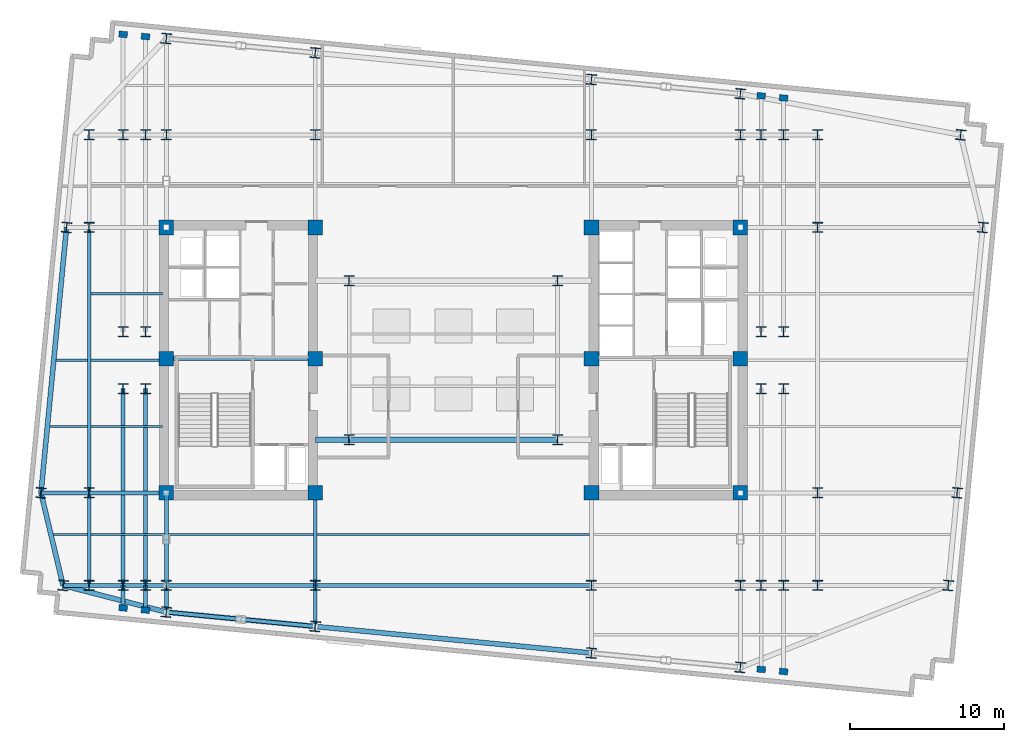
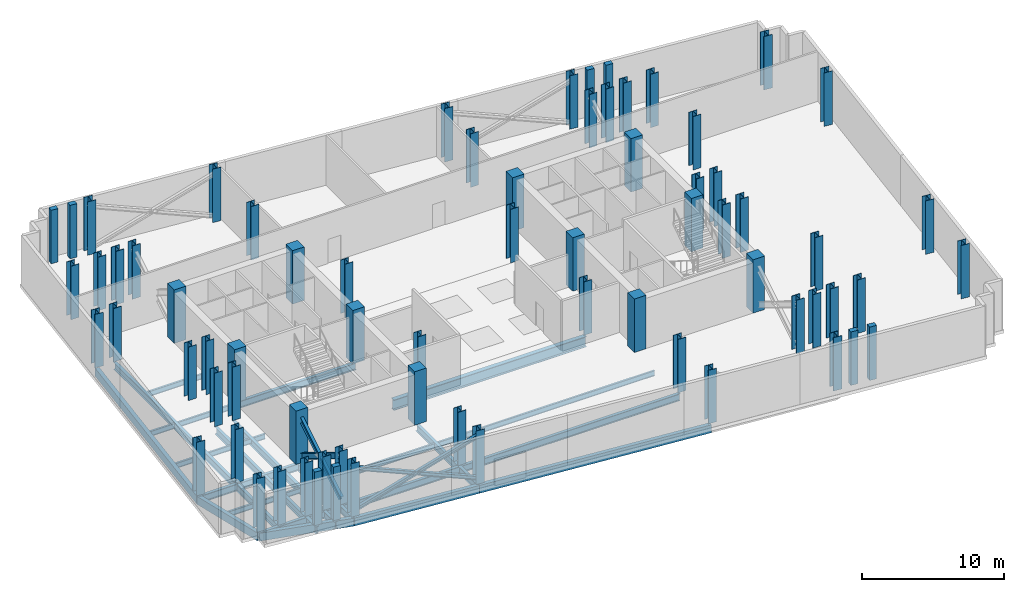
# One storey, part 1 of 8: 71 columns, 33 beams, 6 members.
"""IFC4 building model written with IfcOpenShell, lengths in metres."""

from ifc_helpers import new_model, si_unit, direction, frame, origin, origin_2d, place, context, subcontext, project, spatial, rectangle, i_section, extrude, material, material_profile, profile_set, type_object, element, save


model = new_model("IFC4")

# Units and contexts
model_context = context("Model", 3, precision=1e-05, world=origin(), true_north=direction((0.0, 1.0)))
body_context = subcontext(model_context, "Body", "Model", "MODEL_VIEW")
ifc_project = project(units=[si_unit("LENGTHUNIT", "METRE"), si_unit("AREAUNIT", "SQUARE_METRE"), si_unit("VOLUMEUNIT", "CUBIC_METRE"), si_unit("PLANEANGLEUNIT", "RADIAN"), si_unit("MASSUNIT", "GRAM", prefix="KILO")], contexts=[model_context])

# Site, building, storey
site_placement = place(None, origin())
site = spatial("IfcSite", under=ifc_project, at=site_placement, CompositionType="ELEMENT")
building_placement = place(site_placement, origin())
building = spatial("IfcBuilding", under=site, at=building_placement, Name="Velakula Bourse", CompositionType="ELEMENT")
storey_placement = place(building_placement, frame((0.0, 0.0, 194.89990234375)))
storey = spatial("IfcBuildingStorey", under=building, at=storey_placement, Name="L53", CompositionType="ELEMENT", Elevation=194.89990234375)

# Columns
ifc_material_1 = material(Name="Concrete M70 (fck 70 MPa)", Category="concrete")
ifc_material_profile_1 = material_profile(ifc_material_1, rectangle(XDim=0.949951171875, YDim=0.949951171875, at=origin_2d()), Name="Concrete M70 (fck 70 MPa)")
ifc_profile_set_1 = profile_set([ifc_material_profile_1], Name="Concrete M70 (fck 70 MPa)")
column_type_1 = type_object("IfcColumnType", Name="COL-RC-950", PredefinedType="COLUMN", material=ifc_profile_set_1)
for number, where, z_axis, x_axis, name in (
    (1, (-8.949951171875, -8.60009765625, 0.0), (0.0, 0.0, 1.0), (1.0, 0.0, 0.0), "L53 Core Boundary Column 01"),
    (2, (-8.949951171875, 0.10009765625, 0.0), (0.0, 0.0, 1.0), (1.0, 0.0, 0.0), "L53 Core Boundary Column 02"),
    (3, (-8.949951171875, 8.60009765625, 0.0), (0.0, 0.0, 1.0), (1.0, 0.0, 0.0), "L53 Core Boundary Column 03"),
    (4, (-18.60009765625, -8.60009765625, 0.0), (0.0, 0.0, 1.0), (1.0, 0.0, 0.0), "L53 Core Boundary Column 04"),
    (5, (-18.60009765625, 0.10009765625, 0.0), (0.0, 0.0, 1.0), (1.0, 0.0, 0.0), "L53 Core Boundary Column 05"),
    (6, (-18.60009765625, 8.60009765625, 0.0), (0.0, 0.0, 1.0), (1.0, 0.0, 0.0), "L53 Core Boundary Column 06"),
    (7, (8.949951171875, -8.60009765625, 0.0), (0.0, 0.0, 1.0), (1.0, 0.0, 0.0), "L53 Core Boundary Column 07"),
    (8, (8.949951171875, 0.10009765625, 0.0), (0.0, 0.0, 1.0), (1.0, 0.0, 0.0), "L53 Core Boundary Column 08"),
    (9, (8.949951171875, 8.60009765625, 0.0), (0.0, 0.0, 1.0), (1.0, 0.0, 0.0), "L53 Core Boundary Column 09"),
    (10, (18.60009765625, -8.60009765625, 0.0), (0.0, 0.0, 1.0), (1.0, 0.0, 0.0), "L53 Core Boundary Column 10"),
    (11, (18.60009765625, 0.10009765625, 0.0), (0.0, 0.0, 1.0), (1.0, 0.0, 0.0), "L53 Core Boundary Column 11"),
    (12, (18.60009765625, 8.60009765625, 0.0), (0.0, 0.0, 1.0), (1.0, 0.0, 0.0), "L53 Core Boundary Column 12"),
):
    element("IfcColumn", number, at=place(storey_placement, frame(where, z_axis=z_axis, x_axis=x_axis)), inside=storey, type_object=column_type_1, Name=name, PredefinedType="COLUMN", context=body_context, shape_type="SweptSolid", body=[
        extrude(rectangle(XDim=0.949951171875, YDim=0.949951171875, at=origin_2d()), origin(), (0.0, 0.0, 1.0), 4.60009765625),
    ])
ifc_material_2 = material(Name="Steel IS 2062 Grade 350 (E350)", Category="steel")
ifc_material_profile_2 = material_profile(ifc_material_2, i_section(OverallWidth=0.64990234375, OverallDepth=0.64990234375, WebThickness=0.028076171875, FlangeThickness=0.0400390625, at=origin_2d()), Name="Steel IS 2062 Grade 350 (E350)")
ifc_profile_set_2 = profile_set([ifc_material_profile_2], Name="Steel IS 2062 Grade 350 (E350)")
column_type_2 = type_object("IfcColumnType", Name="COL-STL-650", PredefinedType="COLUMN", material=ifc_profile_set_2)
for number, where, z_axis, x_axis, name in (
    (13, (-6.75, -5.14990234375, 0.0), (0.0, 0.0, 1.0), (1.0, 0.0, 0.0), "L53 Central Spine Column 01"),
    (14, (-6.75, 5.14990234375, 0.0), (0.0, 0.0, 1.0), (1.0, 0.0, 0.0), "L53 Central Spine Column 02"),
    (15, (6.75, -5.14990234375, 0.0), (0.0, 0.0, 1.0), (1.0, 0.0, 0.0), "L53 Central Spine Column 03"),
    (16, (6.75, 5.14990234375, 0.0), (0.0, 0.0, 1.0), (1.0, 0.0, 0.0), "L53 Central Spine Column 04"),
    (17, (-21.39990234375, -14.60009765625, 0.0), (0.0, 0.0, 1.0), (1.0, 0.0, 0.0), "L53 Tower Fulcrum Column 01"),
    (18, (-21.39990234375, 14.60009765625, 0.0), (0.0, 0.0, 1.0), (1.0, 0.0, 0.0), "L53 Tower Fulcrum Column 02"),
    (19, (-19.949951171875, -14.60009765625, 0.0), (0.0, 0.0, 1.0), (1.0, 0.0, 0.0), "L53 Tower Fulcrum Column 03"),
    (20, (-19.949951171875, 14.60009765625, 0.0), (0.0, 0.0, 1.0), (1.0, 0.0, 0.0), "L53 Tower Fulcrum Column 04"),
    (21, (-18.60009765625, -14.60009765625, 0.0), (0.0, 0.0, 1.0), (1.0, 0.0, 0.0), "L53 Tower Fulcrum Column 05"),
    (22, (-18.60009765625, 14.60009765625, 0.0), (0.0, 0.0, 1.0), (1.0, 0.0, 0.0), "L53 Tower Fulcrum Column 06"),
    (23, (-8.949951171875, -14.60009765625, 0.0), (0.0, 0.0, 1.0), (1.0, 0.0, 0.0), "L53 Tower Fulcrum Column 07"),
    (24, (-8.949951171875, 14.60009765625, 0.0), (0.0, 0.0, 1.0), (1.0, 0.0, 0.0), "L53 Tower Fulcrum Column 08"),
    (25, (8.949951171875, -14.60009765625, 0.0), (0.0, 0.0, 1.0), (1.0, 0.0, 0.0), "L53 Tower Fulcrum Column 09"),
    (26, (8.949951171875, 14.60009765625, 0.0), (0.0, 0.0, 1.0), (1.0, 0.0, 0.0), "L53 Tower Fulcrum Column 10"),
    (27, (18.60009765625, -14.60009765625, 0.0), (0.0, 0.0, 1.0), (1.0, 0.0, 0.0), "L53 Tower Fulcrum Column 11"),
    (28, (18.60009765625, 14.60009765625, 0.0), (0.0, 0.0, 1.0), (1.0, 0.0, 0.0), "L53 Tower Fulcrum Column 12"),
    (29, (19.949951171875, -14.60009765625, 0.0), (0.0, 0.0, 1.0), (1.0, 0.0, 0.0), "L53 Tower Fulcrum Column 13"),
    (30, (19.949951171875, 14.60009765625, 0.0), (0.0, 0.0, 1.0), (1.0, 0.0, 0.0), "L53 Tower Fulcrum Column 14"),
    (31, (21.39990234375, -14.60009765625, 0.0), (0.0, 0.0, 1.0), (1.0, 0.0, 0.0), "L53 Tower Fulcrum Column 15"),
    (32, (21.39990234375, 14.60009765625, 0.0), (0.0, 0.0, 1.0), (1.0, 0.0, 0.0), "L53 Tower Fulcrum Column 16"),
    (33, (-21.39990234375, -1.85009765625, 0.0), (0.0, 0.0, 1.0), (1.0, 0.0, 0.0), "L53 Tower Fulcrum Column 17"),
    (34, (-21.39990234375, 1.85009765625, 0.0), (0.0, 0.0, 1.0), (1.0, 0.0, 0.0), "L53 Tower Fulcrum Column 18"),
    (35, (-19.949951171875, -1.85009765625, 0.0), (0.0, 0.0, 1.0), (1.0, 0.0, 0.0), "L53 Tower Fulcrum Column 19"),
    (36, (-19.949951171875, 1.85009765625, 0.0), (0.0, 0.0, 1.0), (1.0, 0.0, 0.0), "L53 Tower Fulcrum Column 20"),
    (37, (19.949951171875, -1.85009765625, 0.0), (0.0, 0.0, 1.0), (1.0, 0.0, 0.0), "L53 Tower Fulcrum Column 21"),
    (38, (19.949951171875, 1.85009765625, 0.0), (0.0, 0.0, 1.0), (1.0, 0.0, 0.0), "L53 Tower Fulcrum Column 22"),
    (39, (21.39990234375, -1.85009765625, 0.0), (0.0, 0.0, 1.0), (1.0, 0.0, 0.0), "L53 Tower Fulcrum Column 23"),
    (40, (21.39990234375, 1.85009765625, 0.0), (0.0, 0.0, 1.0), (1.0, 0.0, 0.0), "L53 Tower Fulcrum Column 24"),
    (41, (-23.60009765625, -14.60009765625, 0.0), (0.0, 0.0, 1.0), (1.0, 0.0, 0.0), "L53 Mid-Wing Plumb Column 01"),
    (42, (-23.60009765625, -8.60009765625, 0.0), (0.0, 0.0, 1.0), (1.0, 0.0, 0.0), "L53 Mid-Wing Plumb Column 02"),
    (43, (-23.60009765625, 8.60009765625, 0.0), (0.0, 0.0, 1.0), (1.0, 0.0, 0.0), "L53 Mid-Wing Plumb Column 03"),
    (44, (-23.60009765625, 14.60009765625, 0.0), (0.0, 0.0, 1.0), (1.0, 0.0, 0.0), "L53 Mid-Wing Plumb Column 04"),
    (45, (23.60009765625, -14.60009765625, 0.0), (0.0, 0.0, 1.0), (1.0, 0.0, 0.0), "L53 Mid-Wing Plumb Column 05"),
    (46, (23.60009765625, -8.60009765625, 0.0), (0.0, 0.0, 1.0), (1.0, 0.0, 0.0), "L53 Mid-Wing Plumb Column 06"),
    (47, (23.60009765625, 8.60009765625, 0.0), (0.0, 0.0, 1.0), (1.0, 0.0, 0.0), "L53 Mid-Wing Plumb Column 07"),
    (48, (23.60009765625, 14.60009765625, 0.0), (0.0, 0.0, 1.0), (1.0, 0.0, 0.0), "L53 Mid-Wing Plumb Column 08"),
    (49, (-18.60009765625, -16.32861328125, 0.0), (0.0, 0.0, 1.0), (0.995396198367, -0.09584575252, 0.0), "L53 Block B4 Perimeter Column S1"),
    (50, (-8.949951171875, -17.2578125, 0.0), (0.0, 0.0, 1.0), (0.995396198367, -0.09584575252, 0.0), "L53 Block B4 Perimeter Column S2"),
    (51, (8.949951171875, -18.9814453125, 0.0), (0.0, 0.0, 1.0), (0.995396198367, -0.09584575252, 0.0), "L53 Block B4 Perimeter Column S3"),
    (52, (18.60009765625, -19.91064453125, 0.0), (0.0, 0.0, 1.0), (0.995396198367, -0.09584575252, 0.0), "L53 Block B4 Perimeter Column S4"),
    (53, (-18.60009765625, 20.84228515625, 0.0), (0.0, 0.0, 1.0), (0.995396198367, -0.09584575252, 0.0), "L53 Block B4 Perimeter Column N1"),
    (54, (-8.949951171875, 19.9130859375, 0.0), (0.0, 0.0, 1.0), (0.995396198367, -0.09584575252, 0.0), "L53 Block B4 Perimeter Column N2"),
    (55, (8.949951171875, 18.189697265625, 0.0), (0.0, 0.0, 1.0), (0.995396198367, -0.09584575252, 0.0), "L53 Block B4 Perimeter Column N3"),
    (56, (18.60009765625, 17.260498046875, 0.0), (0.0, 0.0, 1.0), (0.995396198367, -0.09584575252, 0.0), "L53 Block B4 Perimeter Column N4"),
    (57, (-25.29296875, -14.60009765625, 0.0), (0.0, 0.0, 1.0), (0.995396198367, -0.09584575252, 0.0), "L53 Block B4 Perimeter Column W1"),
    (58, (-26.724365234375, -8.60009765625, 0.0), (0.0, 0.0, 1.0), (0.995396198367, -0.09584575252, 0.0), "L53 Block B4 Perimeter Column W2"),
    (59, (-25.068115234375, 8.60009765625, 0.0), (0.0, 0.0, 1.0), (0.995396198367, -0.09584575252, 0.0), "L53 Block B4 Perimeter Column W3"),
    (60, (32.0712890625, -14.60009765625, 0.0), (0.0, 0.0, 1.0), (0.995396198367, -0.09584575252, 0.0), "L53 Block B4 Perimeter Column E1"),
    (61, (32.64892578125, -8.60009765625, 0.0), (0.0, 0.0, 1.0), (0.995396198367, -0.09584575252, 0.0), "L53 Block B4 Perimeter Column E2"),
    (62, (34.30517578125, 8.60009765625, 0.0), (0.0, 0.0, 1.0), (0.995396198367, -0.09584575252, 0.0), "L53 Block B4 Perimeter Column E3"),
    (63, (32.87353515625, 14.60009765625, 0.0), (0.0, 0.0, 1.0), (0.995396198367, -0.09584575252, 0.0), "L53 Block B4 Perimeter Column E4"),
):
    element("IfcColumn", number, at=place(storey_placement, frame(where, z_axis=z_axis, x_axis=x_axis)), inside=storey, type_object=column_type_2, Name=name, PredefinedType="COLUMN", context=body_context, shape_type="SweptSolid", body=[
        extrude(i_section(OverallWidth=0.64990234375, OverallDepth=0.64990234375, WebThickness=0.028076171875, FlangeThickness=0.0400390625, at=origin_2d()), origin(), (0.0, 0.0, 1.0), 4.60009765625),
    ])
ifc_material_3 = material(Name="Precast concrete M45 (fck 45 MPa)", Category="concrete")
ifc_material_profile_3 = material_profile(ifc_material_3, rectangle(XDim=0.550048828125, YDim=0.39990234375, at=origin_2d()), Name="Precast concrete M45 (fck 45 MPa)")
ifc_profile_set_3 = profile_set([ifc_material_profile_3], Name="Precast concrete M45 (fck 45 MPa)")
column_type_3 = type_object("IfcColumnType", Name="PIL-BRICK-550", PredefinedType="PILASTER", material=ifc_profile_set_3)
for number, where, z_axis, x_axis, name in (
    (64, (-21.39990234375, -16.05908203125, 0.0), (0.0, 0.0, 1.0), (0.995396198367, -0.09584575252, 0.0), "L53 Brick Pier Pilaster 01"),
    (65, (-19.949951171875, -16.19873046875, 0.0), (0.0, 0.0, 1.0), (0.995396198367, -0.09584575252, 0.0), "L53 Brick Pier Pilaster 02"),
    (66, (19.949951171875, -20.04052734375, 0.0), (0.0, 0.0, 1.0), (0.995396198367, -0.09584575252, 0.0), "L53 Brick Pier Pilaster 03"),
    (67, (21.39990234375, -20.180419921875, 0.0), (0.0, 0.0, 1.0), (0.995396198367, -0.09584575252, 0.0), "L53 Brick Pier Pilaster 04"),
    (68, (-21.39990234375, 21.112060546875, 0.0), (0.0, 0.0, 1.0), (0.995396198367, -0.09584575252, 0.0), "L53 Brick Pier Pilaster 05"),
    (69, (-19.949951171875, 20.972412109375, 0.0), (0.0, 0.0, 1.0), (0.995396198367, -0.09584575252, 0.0), "L53 Brick Pier Pilaster 06"),
    (70, (19.949951171875, 17.130615234375, 0.0), (0.0, 0.0, 1.0), (0.995396198367, -0.09584575252, 0.0), "L53 Brick Pier Pilaster 07"),
    (71, (21.39990234375, 16.990966796875, 0.0), (0.0, 0.0, 1.0), (0.995396198367, -0.09584575252, 0.0), "L53 Brick Pier Pilaster 08"),
):
    element("IfcColumn", number, at=place(storey_placement, frame(where, z_axis=z_axis, x_axis=x_axis)), inside=storey, type_object=column_type_3, Name=name, PredefinedType="PILASTER", context=body_context, shape_type="SweptSolid", body=[
        extrude(rectangle(XDim=0.550048828125, YDim=0.39990234375, at=origin_2d()), origin(), (0.0, 0.0, 1.0), 4.60009765625),
    ])

# Beams
ifc_material_profile_4 = material_profile(ifc_material_2, i_section(OverallWidth=0.25, OverallDepth=0.60009765625, WebThickness=0.01123046875, FlangeThickness=0.021240234375, at=origin_2d()), Name="Steel IS 2062 Grade 350 (E350)")
ifc_profile_set_4 = profile_set([ifc_material_profile_4], Name="Steel IS 2062 Grade 350 (E350)")
beam_type_1 = type_object("IfcBeamType", Name="BM-GRD-600M", PredefinedType="BEAM", material=ifc_profile_set_4)
beam_1_placement = place(storey_placement, frame((-18.60009765625, 0.10009765625, -0.579833984375), z_axis=(1.0, 0.0, 0.0), x_axis=(0.0, 1.0, 0.0)))
element("IfcBeam", 72, at=beam_1_placement, inside=storey, type_object=beam_type_1, Name="L53 Primary Backbone Girder CRW-M", PredefinedType="BEAM", context=body_context, shape_type="SweptSolid", body=[
    extrude(i_section(OverallWidth=0.25, OverallDepth=0.60009765625, WebThickness=0.01123046875, FlangeThickness=0.021240234375, at=origin_2d()), origin(), (0.0, 0.0, 1.0), 9.650146484375),
])
for number, where, z_axis, x_axis, name in (
    (73, (-18.60009765625, -14.60009765625, -0.579833984375), (0.0, 1.0, 0.0), (-1.0, 0.0, 0.0), "L53 Fulcrum Grid Girder FLC-WS"),
    (74, (-8.949951171875, -14.60009765625, -0.579833984375), (0.0, 1.0, 0.0), (-1.0, 0.0, 0.0), "L53 Fulcrum Grid Girder FLC-WCS"),
):
    element("IfcBeam", number, at=place(storey_placement, frame(where, z_axis=z_axis, x_axis=x_axis)), inside=storey, type_object=beam_type_1, Name=name, PredefinedType="BEAM", context=body_context, shape_type="SweptSolid", body=[
        extrude(i_section(OverallWidth=0.25, OverallDepth=0.60009765625, WebThickness=0.01123046875, FlangeThickness=0.021240234375, at=origin_2d()), origin(), (0.0, 0.0, 1.0), 6.0),
    ])
beam_2_placement = place(storey_placement, frame((-18.60009765625, -14.60009765625, -0.579833984375), z_axis=(1.0, 0.0, 0.0), x_axis=(0.0, 1.0, 0.0)))
element("IfcBeam", 75, at=beam_2_placement, inside=storey, type_object=beam_type_1, Name="L53 Fulcrum Grid Girder FLC-S1", PredefinedType="BEAM", context=body_context, shape_type="SweptSolid", body=[
    extrude(i_section(OverallWidth=0.25, OverallDepth=0.60009765625, WebThickness=0.01123046875, FlangeThickness=0.021240234375, at=origin_2d()), origin(), (0.0, 0.0, 1.0), 9.650146484375),
])
beam_3_placement = place(storey_placement, frame((-8.949951171875, -14.60009765625, -0.579833984375), z_axis=(1.0, 0.0, 0.0), x_axis=(0.0, 1.0, 0.0)))
element("IfcBeam", 76, at=beam_3_placement, inside=storey, type_object=beam_type_1, Name="L53 Fulcrum Grid Girder FLC-S2", PredefinedType="BEAM", context=body_context, shape_type="SweptSolid", body=[
    extrude(i_section(OverallWidth=0.25, OverallDepth=0.60009765625, WebThickness=0.01123046875, FlangeThickness=0.021240234375, at=origin_2d()), origin(), (0.0, 0.0, 1.0), 17.89990234375),
])
for number, where, z_axis, x_axis, name in (
    (77, (-21.39990234375, -14.60009765625, -0.579833984375), (0.0, 1.0, 0.0), (-1.0, 0.0, 0.0), "L53 Fulcrum Grid Girder FLC-PSW1"),
    (78, (-19.949951171875, -14.60009765625, -0.579833984375), (0.0, 1.0, 0.0), (-1.0, 0.0, 0.0), "L53 Fulcrum Grid Girder FLC-PSW2"),
):
    element("IfcBeam", number, at=place(storey_placement, frame(where, z_axis=z_axis, x_axis=x_axis)), inside=storey, type_object=beam_type_1, Name=name, PredefinedType="BEAM", context=body_context, shape_type="SweptSolid", body=[
        extrude(i_section(OverallWidth=0.25, OverallDepth=0.60009765625, WebThickness=0.01123046875, FlangeThickness=0.021240234375, at=origin_2d()), origin(), (0.0, 0.0, 1.0), 12.75),
    ])
for number, where, z_axis, x_axis, name in (
    (79, (-23.60009765625, -14.60009765625, -0.579833984375), (1.0, 0.0, 0.0), (0.0, 1.0, 0.0), "L53 Fulcrum Grid Girder MWG-WS1"),
    (80, (-23.60009765625, -8.60009765625, -0.579833984375), (1.0, 0.0, 0.0), (0.0, 1.0, 0.0), "L53 Fulcrum Grid Girder MWG-WS2"),
):
    element("IfcBeam", number, at=place(storey_placement, frame(where, z_axis=z_axis, x_axis=x_axis)), inside=storey, type_object=beam_type_1, Name=name, PredefinedType="BEAM", context=body_context, shape_type="SweptSolid", body=[
        extrude(i_section(OverallWidth=0.25, OverallDepth=0.60009765625, WebThickness=0.01123046875, FlangeThickness=0.021240234375, at=origin_2d()), origin(), (0.0, 0.0, 1.0), 5.0),
    ])
beam_4_placement = place(storey_placement, frame((-23.60009765625, -14.60009765625, -0.579833984375), z_axis=(0.0, 1.0, 0.0), x_axis=(-1.0, 0.0, 0.0)))
element("IfcBeam", 81, at=beam_4_placement, inside=storey, type_object=beam_type_1, Name="L53 Fulcrum Grid Girder MWG-WNS1", PredefinedType="BEAM", context=body_context, shape_type="SweptSolid", body=[
    extrude(i_section(OverallWidth=0.25, OverallDepth=0.60009765625, WebThickness=0.01123046875, FlangeThickness=0.021240234375, at=origin_2d()), origin(), (0.0, 0.0, 1.0), 6.0),
])
beam_5_placement = place(storey_placement, frame((-23.60009765625, -8.60009765625, -0.579833984375), z_axis=(0.0, 1.0, 0.0), x_axis=(-1.0, 0.0, 0.0)))
element("IfcBeam", 82, at=beam_5_placement, inside=storey, type_object=beam_type_1, Name="L53 Fulcrum Grid Girder MWG-WNS2", PredefinedType="BEAM", context=body_context, shape_type="SweptSolid", body=[
    extrude(i_section(OverallWidth=0.25, OverallDepth=0.60009765625, WebThickness=0.01123046875, FlangeThickness=0.021240234375, at=origin_2d()), origin(), (0.0, 0.0, 1.0), 17.2001953125),
])
beam_6_placement = place(storey_placement, frame((-18.60009765625, -14.60009765625, -0.579833984375), z_axis=(0.0, -1.0, 0.0), x_axis=(1.0, 0.0, 0.0)))
element("IfcBeam", 83, at=beam_6_placement, inside=storey, type_object=beam_type_1, Name="L53 Perimeter Tie Girder S1", PredefinedType="BEAM", context=body_context, shape_type="SweptSolid", body=[
    extrude(i_section(OverallWidth=0.25, OverallDepth=0.60009765625, WebThickness=0.01123046875, FlangeThickness=0.021240234375, at=origin_2d()), origin(), (0.0, 0.0, 1.0), 1.728515625),
])
beam_7_placement = place(storey_placement, frame((-8.949951171875, -14.60009765625, -0.579833984375), z_axis=(0.0, -1.0, 0.0), x_axis=(1.0, 0.0, 0.0)))
element("IfcBeam", 84, at=beam_7_placement, inside=storey, type_object=beam_type_1, Name="L53 Perimeter Tie Girder S2", PredefinedType="BEAM", context=body_context, shape_type="SweptSolid", body=[
    extrude(i_section(OverallWidth=0.25, OverallDepth=0.60009765625, WebThickness=0.01123046875, FlangeThickness=0.021240234375, at=origin_2d()), origin(), (0.0, 0.0, 1.0), 2.65771484375),
])
beam_8_placement = place(storey_placement, frame((-23.60009765625, -14.60009765625, -0.579833984375), z_axis=(-1.0, 0.0, 0.0), x_axis=(0.0, -1.0, 0.0)))
element("IfcBeam", 85, at=beam_8_placement, inside=storey, type_object=beam_type_1, Name="L53 Perimeter Tie Girder W1", PredefinedType="BEAM", context=body_context, shape_type="SweptSolid", body=[
    extrude(i_section(OverallWidth=0.25, OverallDepth=0.60009765625, WebThickness=0.01123046875, FlangeThickness=0.021240234375, at=origin_2d()), origin(), (0.0, 0.0, 1.0), 1.69287109375),
])
beam_9_placement = place(storey_placement, frame((-23.60009765625, -8.60009765625, -0.579833984375), z_axis=(-1.0, 0.0, 0.0), x_axis=(0.0, -1.0, 0.0)))
element("IfcBeam", 86, at=beam_9_placement, inside=storey, type_object=beam_type_1, Name="L53 Perimeter Tie Girder W2", PredefinedType="BEAM", context=body_context, shape_type="SweptSolid", body=[
    extrude(i_section(OverallWidth=0.25, OverallDepth=0.60009765625, WebThickness=0.01123046875, FlangeThickness=0.021240234375, at=origin_2d()), origin(), (0.0, 0.0, 1.0), 3.124267578125),
])
beam_10_placement = place(storey_placement, frame((-21.39990234375, -14.60009765625, -0.579833984375), z_axis=(0.0, -1.0, 0.0), x_axis=(1.0, 0.0, 0.0)))
element("IfcBeam", 87, at=beam_10_placement, inside=storey, type_object=beam_type_1, Name="L53 Perimeter Tie Girder P01", PredefinedType="BEAM", context=body_context, shape_type="SweptSolid", body=[
    extrude(i_section(OverallWidth=0.25, OverallDepth=0.60009765625, WebThickness=0.01123046875, FlangeThickness=0.021240234375, at=origin_2d()), origin(), (0.0, 0.0, 1.0), 1.458984375),
])
beam_11_placement = place(storey_placement, frame((-19.949951171875, -14.60009765625, -0.579833984375), z_axis=(0.0, -1.0, 0.0), x_axis=(1.0, 0.0, 0.0)))
element("IfcBeam", 88, at=beam_11_placement, inside=storey, type_object=beam_type_1, Name="L53 Perimeter Tie Girder P02", PredefinedType="BEAM", context=body_context, shape_type="SweptSolid", body=[
    extrude(i_section(OverallWidth=0.25, OverallDepth=0.60009765625, WebThickness=0.01123046875, FlangeThickness=0.021240234375, at=origin_2d()), origin(), (0.0, 0.0, 1.0), 1.5986328125),
])
ifc_material_profile_5 = material_profile(ifc_material_2, i_section(OverallWidth=0.35009765625, OverallDepth=0.89990234375, WebThickness=0.02001953125, FlangeThickness=0.031982421875, at=origin_2d()), Name="Steel IS 2062 Grade 350 (E350)")
ifc_profile_set_5 = profile_set([ifc_material_profile_5], Name="Steel IS 2062 Grade 350 (E350)")
beam_type_2 = type_object("IfcBeamType", Name="BM-LNK-900", PredefinedType="BEAM", material=ifc_profile_set_5)
beam_12_placement = place(storey_placement, frame((-8.949951171875, -5.14990234375, -0.72998046875), z_axis=(1.0, 0.0, 0.0), x_axis=(0.0, 1.0, 0.0)))
element("IfcBeam", 89, at=beam_12_placement, inside=storey, type_object=beam_type_2, Name="L53 Primary Backbone Girder LNK-S1", PredefinedType="BEAM", context=body_context, shape_type="SweptSolid", body=[
    extrude(i_section(OverallWidth=0.35009765625, OverallDepth=0.89990234375, WebThickness=0.02001953125, FlangeThickness=0.031982421875, at=origin_2d()), origin(), (0.0, 0.0, 1.0), 2.199951171875),
])
beam_13_placement = place(storey_placement, frame((-6.75, -5.14990234375, -0.72998046875), z_axis=(1.0, 0.0, 0.0), x_axis=(0.0, 1.0, 0.0)))
element("IfcBeam", 90, at=beam_13_placement, inside=storey, type_object=beam_type_2, Name="L53 Primary Backbone Girder LNK-S2", PredefinedType="BEAM", context=body_context, shape_type="SweptSolid", body=[
    extrude(i_section(OverallWidth=0.35009765625, OverallDepth=0.89990234375, WebThickness=0.02001953125, FlangeThickness=0.031982421875, at=origin_2d()), origin(), (0.0, 0.0, 1.0), 13.5),
])

# Members
ifc_material_profile_6 = material_profile(ifc_material_2, i_section(OverallWidth=0.25, OverallDepth=0.300048828125, WebThickness=0.009521484375, FlangeThickness=0.010498046875, at=origin_2d()), Name="Steel IS 2062 Grade 350 (E350)")
ifc_profile_set_6 = profile_set([ifc_material_profile_6], Name="Steel IS 2062 Grade 350 (E350)")
member_type_1 = type_object("IfcMemberType", Name="BR-BLT-300", PredefinedType="BRACE", material=ifc_profile_set_6)
member_1_placement = place(storey_placement, frame((-18.60009765625, -16.32861328125, 0.300048828125), z_axis=(0.930920935932, -0.089637085591, 0.35405000202), x_axis=(0.095845323155, 0.99539623971, 0.0)))
element("IfcMember", 91, at=member_1_placement, inside=storey, type_object=member_type_1, Name="L53 Continuous Outrigger and Belt X-Brace BT-S1", PredefinedType="BRACE", context=body_context, shape_type="SweptSolid", body=[
    extrude(i_section(OverallWidth=0.25, OverallDepth=0.300048828125, WebThickness=0.009521484375, FlangeThickness=0.010498046875, at=origin_2d()), origin(), (0.0, 0.0, 1.0), 10.3662109375),
])
for number, where, z_axis, x_axis, name in (
    (92, (-8.949951171875, -17.2578125, 0.300048828125), (-0.930933022516, 0.089607749593, 0.354025647096), (-0.095813010804, -0.995399350492, 0.0), "L53 Split X-Brace Lower Segment BT-S2A"),
    (93, (-13.9052734375, -16.78076171875, 2.1845703125), (-0.930913027801, 0.089654234399, 0.354066452696), (-0.095864298069, -0.99539441246, 0.0), "L53 Split X-Brace Upper Segment BT-S2B"),
):
    element("IfcMember", number, at=place(storey_placement, frame(where, z_axis=z_axis, x_axis=x_axis)), inside=storey, type_object=member_type_1, Name=name, PredefinedType="BRACE", context=body_context, shape_type="SweptSolid", body=[
        extrude(i_section(OverallWidth=0.25, OverallDepth=0.300048828125, WebThickness=0.009521484375, FlangeThickness=0.010498046875, at=origin_2d()), origin(), (0.0, 0.0, 1.0), 5.043212890625),
    ])
ifc_material_profile_7 = material_profile(ifc_material_2, i_section(OverallWidth=0.25, OverallDepth=0.449951171875, WebThickness=0.01123046875, FlangeThickness=0.013671875, at=origin_2d()), Name="Steel IS 2062 Grade 350 (E350)")
ifc_profile_set_7 = profile_set([ifc_material_profile_7], Name="Steel IS 2062 Grade 350 (E350)")
member_type_2 = type_object("IfcMemberType", Name="BR-OTR-450", PredefinedType="BRACE", material=ifc_profile_set_7)
member_2_placement = place(storey_placement, frame((-18.60009765625, -8.60009765625, 0.300048828125), z_axis=(0.0, -0.853060385643, 0.521812206111), x_axis=(1.0, 0.0, 0.0)))
element("IfcMember", 94, at=member_2_placement, inside=storey, type_object=member_type_2, Name="L53 Continuous Outrigger and Belt X-Brace OT-NS1", PredefinedType="BRACE", context=body_context, shape_type="SweptSolid", body=[
    extrude(i_section(OverallWidth=0.25, OverallDepth=0.449951171875, WebThickness=0.01123046875, FlangeThickness=0.013671875, at=origin_2d()), origin(), (0.0, 0.0, 1.0), 7.033447265625),
])
member_3_placement = place(storey_placement, frame((-18.60009765625, -14.60009765625, 0.300048828125), z_axis=(0.0, 0.853072662482, 0.521792135362), x_axis=(-1.0, 0.0, 0.0)))
element("IfcMember", 95, at=member_3_placement, inside=storey, type_object=member_type_2, Name="L53 Split X-Brace Lower Segment OT-NS2A", PredefinedType="BRACE", context=body_context, shape_type="SweptSolid", body=[
    extrude(i_section(OverallWidth=0.25, OverallDepth=0.449951171875, WebThickness=0.01123046875, FlangeThickness=0.013671875, at=origin_2d()), origin(), (0.0, 0.0, 1.0), 3.376708984375),
])
member_4_placement = place(storey_placement, frame((-18.60009765625, -11.48046875, 2.208251953125), z_axis=(0.0, 0.85305297564, 0.521824319816), x_axis=(-1.0, 0.0, 0.0)))
element("IfcMember", 96, at=member_4_placement, inside=storey, type_object=member_type_2, Name="L53 Split X-Brace Upper Segment OT-NS2B", PredefinedType="BRACE", context=body_context, shape_type="SweptSolid", body=[
    extrude(i_section(OverallWidth=0.25, OverallDepth=0.449951171875, WebThickness=0.01123046875, FlangeThickness=0.013671875, at=origin_2d()), origin(), (0.0, 0.0, 1.0), 3.37646484375),
])

# Beams
ifc_material_profile_8 = material_profile(ifc_material_2, i_section(OverallWidth=0.14990234375, OverallDepth=0.449951171875, WebThickness=0.009521484375, FlangeThickness=0.017333984375, at=origin_2d()), Name="Steel IS 2062 Grade 350 (E350)")
ifc_profile_set_8 = profile_set([ifc_material_profile_8], Name="Steel IS 2062 Grade 350 (E350)")
beam_type_3 = type_object("IfcBeamType", Name="JST-TWR-450", PredefinedType="JOIST", material=ifc_profile_set_8)
beam_14_placement = place(storey_placement, frame((-25.915771484375, -11.300048828125, -0.5048828125), z_axis=(1.0, 0.0, 0.0), x_axis=(0.0, 1.0, 0.0)))
element("IfcBeam", 97, at=beam_14_placement, inside=storey, type_object=beam_type_3, Name="L53 Trading Floor Composite Joist 04", PredefinedType="JOIST", context=body_context, shape_type="SweptSolid", body=[
    extrude(i_section(OverallWidth=0.14990234375, OverallDepth=0.449951171875, WebThickness=0.009521484375, FlangeThickness=0.017333984375, at=origin_2d()), origin(), (0.0, 0.0, 1.0), 2.190673828125),
])
beam_15_placement = place(storey_placement, frame((-23.47509765625, -11.300048828125, -0.5048828125), z_axis=(1.0, 0.0, 0.0), x_axis=(0.0, 1.0, 0.0)))
element("IfcBeam", 98, at=beam_15_placement, inside=storey, type_object=beam_type_3, Name="L53 Trading Floor Composite Joist 05", PredefinedType="JOIST", context=body_context, shape_type="SweptSolid", body=[
    extrude(i_section(OverallWidth=0.14990234375, OverallDepth=0.449951171875, WebThickness=0.009521484375, FlangeThickness=0.017333984375, at=origin_2d()), origin(), (0.0, 0.0, 1.0), 4.75),
])
beam_16_placement = place(storey_placement, frame((-18.47509765625, -11.300048828125, -0.5048828125), z_axis=(1.0, 0.0, 0.0), x_axis=(0.0, 1.0, 0.0)))
element("IfcBeam", 99, at=beam_16_placement, inside=storey, type_object=beam_type_3, Name="L53 Trading Floor Composite Joist 06", PredefinedType="JOIST", context=body_context, shape_type="SweptSolid", body=[
    extrude(i_section(OverallWidth=0.14990234375, OverallDepth=0.449951171875, WebThickness=0.009521484375, FlangeThickness=0.017333984375, at=origin_2d()), origin(), (0.0, 0.0, 1.0), 9.400146484375),
])
beam_17_placement = place(storey_placement, frame((-8.824951171875, -11.300048828125, -0.5048828125), z_axis=(1.0, 0.0, 0.0), x_axis=(0.0, 1.0, 0.0)))
element("IfcBeam", 100, at=beam_17_placement, inside=storey, type_object=beam_type_3, Name="L53 Trading Floor Composite Joist 07", PredefinedType="JOIST", context=body_context, shape_type="SweptSolid", body=[
    extrude(i_section(OverallWidth=0.14990234375, OverallDepth=0.449951171875, WebThickness=0.009521484375, FlangeThickness=0.017333984375, at=origin_2d()), origin(), (0.0, 0.0, 1.0), 17.64990234375),
])
beam_18_placement = place(storey_placement, frame((-26.149658203125, -4.300048828125, -0.5048828125), z_axis=(1.0, 0.0, 0.0), x_axis=(0.0, 1.0, 0.0)))
element("IfcBeam", 101, at=beam_18_placement, inside=storey, type_object=beam_type_3, Name="L53 Trading Floor Composite Joist 23", PredefinedType="JOIST", context=body_context, shape_type="SweptSolid", body=[
    extrude(i_section(OverallWidth=0.14990234375, OverallDepth=0.449951171875, WebThickness=0.009521484375, FlangeThickness=0.017333984375, at=origin_2d()), origin(), (0.0, 0.0, 1.0), 2.424560546875),
])
beam_19_placement = place(storey_placement, frame((-23.47509765625, -4.300048828125, -0.5048828125), z_axis=(1.0, 0.0, 0.0), x_axis=(0.0, 1.0, 0.0)))
element("IfcBeam", 102, at=beam_19_placement, inside=storey, type_object=beam_type_3, Name="L53 Trading Floor Composite Joist 24", PredefinedType="JOIST", context=body_context, shape_type="SweptSolid", body=[
    extrude(i_section(OverallWidth=0.14990234375, OverallDepth=0.449951171875, WebThickness=0.009521484375, FlangeThickness=0.017333984375, at=origin_2d()), origin(), (0.0, 0.0, 1.0), 4.625),
])
beam_20_placement = place(storey_placement, frame((-25.735595703125, 0.0, -0.5048828125), z_axis=(1.0, 0.0, 0.0), x_axis=(0.0, 1.0, 0.0)))
element("IfcBeam", 103, at=beam_20_placement, inside=storey, type_object=beam_type_3, Name="L53 Trading Floor Composite Joist 27", PredefinedType="JOIST", context=body_context, shape_type="SweptSolid", body=[
    extrude(i_section(OverallWidth=0.14990234375, OverallDepth=0.449951171875, WebThickness=0.009521484375, FlangeThickness=0.017333984375, at=origin_2d()), origin(), (0.0, 0.0, 1.0), 2.010498046875),
])
for number, where, z_axis, x_axis, name in (
    (104, (-23.47509765625, 0.0, -0.5048828125), (1.0, 0.0, 0.0), (0.0, 1.0, 0.0), "L53 Trading Floor Composite Joist 28"),
    (105, (-23.47509765625, 4.300048828125, -0.5048828125), (1.0, 0.0, 0.0), (0.0, 1.0, 0.0), "L53 Trading Floor Composite Joist 31"),
):
    element("IfcBeam", number, at=place(storey_placement, frame(where, z_axis=z_axis, x_axis=x_axis)), inside=storey, type_object=beam_type_3, Name=name, PredefinedType="JOIST", context=body_context, shape_type="SweptSolid", body=[
        extrude(i_section(OverallWidth=0.14990234375, OverallDepth=0.449951171875, WebThickness=0.009521484375, FlangeThickness=0.017333984375, at=origin_2d()), origin(), (0.0, 0.0, 1.0), 4.625),
    ])
ifc_material_profile_9 = material_profile(ifc_material_3, rectangle(XDim=0.320068359375, YDim=0.679931640625, at=origin_2d()), Name="Precast concrete M45 (fck 45 MPa)")
ifc_profile_set_9 = profile_set([ifc_material_profile_9], Name="Precast concrete M45 (fck 45 MPa)")
beam_type_4 = type_object("IfcBeamType", Name="SPN-BRICK-680", PredefinedType="SPANDREL", material=ifc_profile_set_9)
beam_21_placement = place(storey_placement, frame((-18.60009765625, -16.32861328125, -0.619873046875), z_axis=(0.99539623971, -0.095845323155, 0.0), x_axis=(0.095845323155, 0.99539623971, 0.0)))
element("IfcBeam", 106, at=beam_21_placement, inside=storey, type_object=beam_type_4, Name="L53 Brick-Faced Precast Spandrel S1-S2", PredefinedType="SPANDREL", context=body_context, shape_type="SweptSolid", body=[
    extrude(rectangle(XDim=0.320068359375, YDim=0.679931640625, at=origin_2d()), origin(), (0.0, 0.0, 1.0), 9.69482421875),
])
beam_22_placement = place(storey_placement, frame((-8.949951171875, -17.2578125, -0.619873046875), z_axis=(0.995395836254, -0.095849513134, 0.0), x_axis=(0.095849513134, 0.995395836254, 0.0)))
element("IfcBeam", 107, at=beam_22_placement, inside=storey, type_object=beam_type_4, Name="L53 Brick-Faced Precast Spandrel S2-S3", PredefinedType="SPANDREL", context=body_context, shape_type="SweptSolid", body=[
    extrude(rectangle(XDim=0.320068359375, YDim=0.679931640625, at=origin_2d()), origin(), (0.0, 0.0, 1.0), 17.982666015625),
])
beam_23_placement = place(storey_placement, frame((-25.29296875, -14.60009765625, -0.619873046875), z_axis=(-0.232053924044, 0.97270292296, 0.0), x_axis=(-0.97270292296, -0.232053924044, 0.0)))
element("IfcBeam", 108, at=beam_23_placement, inside=storey, type_object=beam_type_4, Name="L53 Brick-Faced Precast Spandrel W1-W2", PredefinedType="SPANDREL", context=body_context, shape_type="SweptSolid", body=[
    extrude(rectangle(XDim=0.320068359375, YDim=0.679931640625, at=origin_2d()), origin(), (0.0, 0.0, 1.0), 6.16845703125),
])
beam_24_placement = place(storey_placement, frame((-26.724365234375, -8.60009765625, -0.619873046875), z_axis=(0.095849167925, 0.995395869495, 0.0), x_axis=(-0.995395869495, 0.095849167925, 0.0)))
element("IfcBeam", 109, at=beam_24_placement, inside=storey, type_object=beam_type_4, Name="L53 Brick-Faced Precast Spandrel W2-W3", PredefinedType="SPANDREL", context=body_context, shape_type="SweptSolid", body=[
    extrude(rectangle(XDim=0.320068359375, YDim=0.679931640625, at=origin_2d()), origin(), (0.0, 0.0, 1.0), 17.27978515625),
])
beam_25_placement = place(storey_placement, frame((-25.29296875, -14.60009765625, -0.619873046875), z_axis=(0.968230996313, -0.250057468954, 0.0), x_axis=(0.250057468954, 0.968230996313, 0.0)))
element("IfcBeam", 110, at=beam_25_placement, inside=storey, type_object=beam_type_4, Name="L53 Brick-Faced Precast Spandrel W1-S1", PredefinedType="SPANDREL", context=body_context, shape_type="SweptSolid", body=[
    extrude(rectangle(XDim=0.320068359375, YDim=0.679931640625, at=origin_2d()), origin(), (0.0, 0.0, 1.0), 6.912353515625),
])

save(model, "model.ifc")
